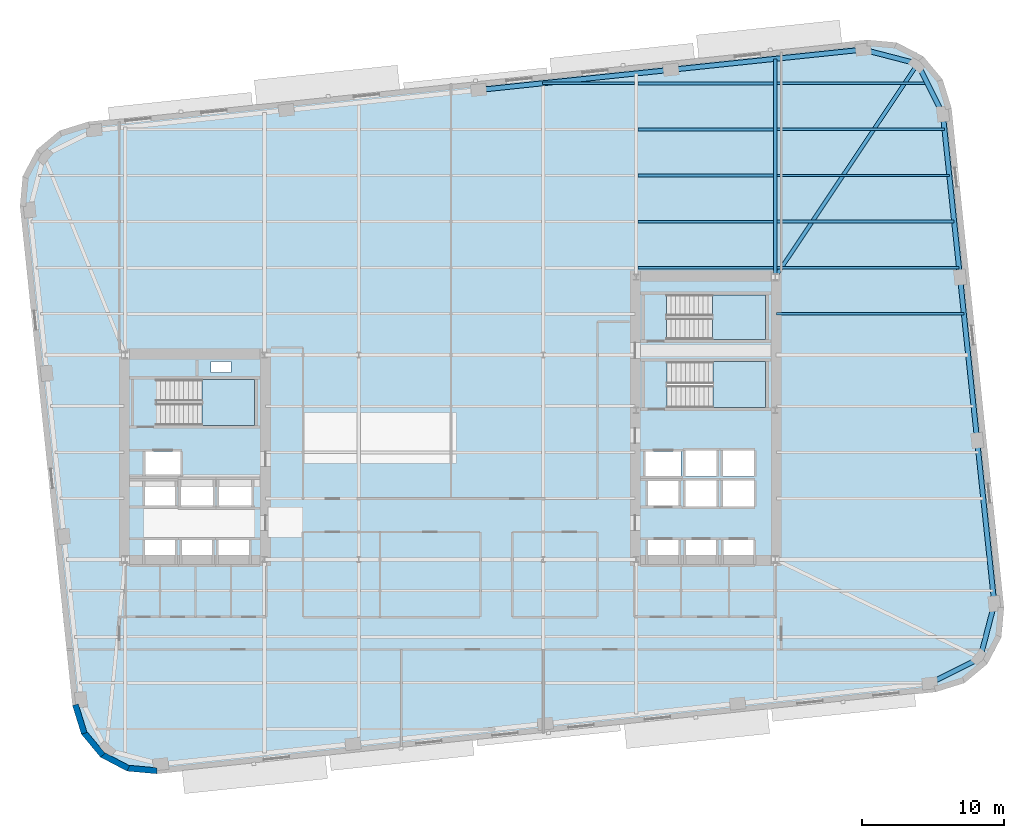
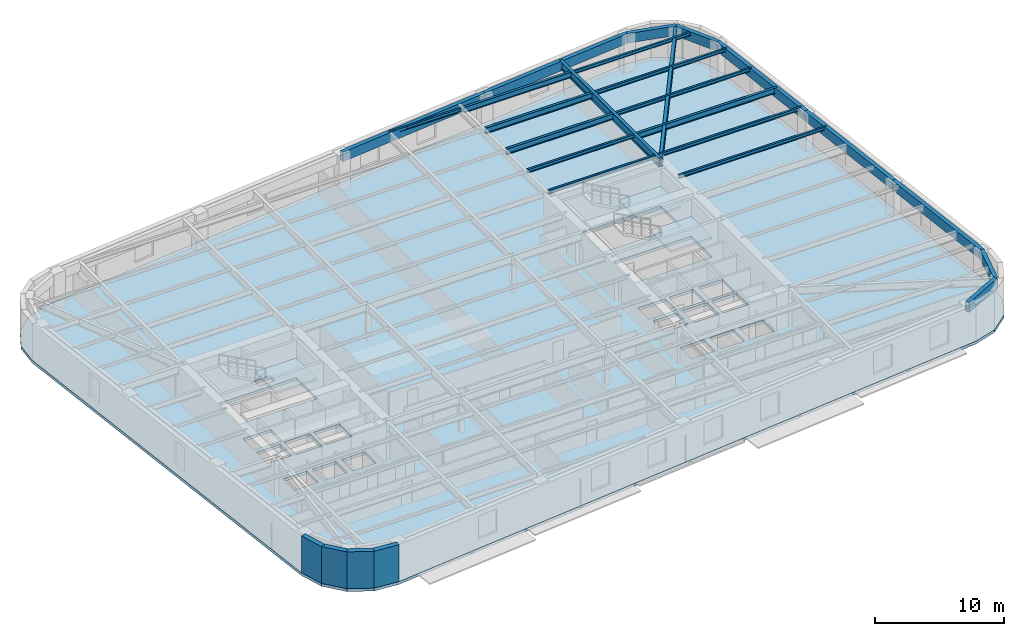
# One storey, part 3 of 12: 23 beams, 4 slabs, 4 walls, 3 elements without a shape of their own.
"""IFC4 building model written with IfcOpenShell, lengths in metres."""

from ifc_helpers import new_model, si_unit, direction, frame, frame_2d, origin, origin_2d, place, context, subcontext, project, spatial, polyline, rectangle, hollow_rectangle, i_section, outline, extrude, material, layer, layer_set, material_profile, profile_set, type_object, element, aggregate, save


model = new_model("IFC4")

# Units and contexts
model_context = context("Model", 3, precision=1e-05, world=origin(), true_north=direction((0.0, 1.0)))
body_context = subcontext(model_context, "Body", "Model", "MODEL_VIEW")
ifc_project = project(units=[si_unit("LENGTHUNIT", "METRE"), si_unit("AREAUNIT", "SQUARE_METRE"), si_unit("VOLUMEUNIT", "CUBIC_METRE"), si_unit("PLANEANGLEUNIT", "RADIAN"), si_unit("MASSUNIT", "GRAM", prefix="KILO")], contexts=[model_context])

# Site, building, storey
site_placement = place(None, origin())
site = spatial("IfcSite", under=ifc_project, at=site_placement, CompositionType="ELEMENT")
building_placement = place(site_placement, origin())
building = spatial("IfcBuilding", under=site, at=building_placement, Name="Kolvaren Arena Tower", CompositionType="ELEMENT")
storey_placement = place(building_placement, frame((0.0, 0.0, 110.949951171875)))
storey = spatial("IfcBuildingStorey", under=building, at=storey_placement, Name="L25", CompositionType="ELEMENT", Elevation=110.949951171875)

# Beams
ifc_material_1 = material(Name="Steel CSA G40.21 350W", Category="steel")
ifc_material_profile_1 = material_profile(ifc_material_1, i_section(OverallWidth=0.2119140625, OverallDepth=0.54296875, WebThickness=0.01318359375, FlangeThickness=0.0244140625, FilletRadius=0.013916015625, at=origin_2d()), Name="W530x150")
ifc_profile_set_1 = profile_set([ifc_material_profile_1], Name="Steel CSA G40.21 350W")
beam_type_1 = type_object("IfcBeamType", Name="BEAM-F1", PredefinedType="BEAM", material=ifc_profile_set_1)
beam_1_placement = place(storey_placement, frame((60.485107421875, 43.25, 3.20849609375), z_axis=(1.0, 0.0, 0.0), x_axis=(0.0, 1.0, 0.0)))
element("IfcBeam", 1, at=beam_1_placement, inside=storey, type_object=beam_type_1, Name="Composite Floor Beam (L25)", PredefinedType="BEAM", context=body_context, shape_type="SweptSolid", body=[
    extrude(i_section(OverallWidth=0.2119140625, OverallDepth=0.54296875, WebThickness=0.01318359375, FlangeThickness=0.0244140625, FilletRadius=0.013916015625, at=origin_2d()), origin(), (0.0, 0.0, 1.0), 12.471435546875),
])
for number, where, z_axis, x_axis, name in (
    (2, (50.68505859375, 46.5, 3.20849609375), (1.0, 0.0, 0.0), (0.0, 1.0, 0.0), "Composite Floor Beam (L25)"),
    (3, (50.68505859375, 49.75, 3.20849609375), (1.0, 0.0, 0.0), (0.0, 1.0, 0.0), "Composite Floor Beam (L25)"),
    (4, (50.68505859375, 53.0, 3.20849609375), (1.0, 0.0, 0.0), (0.0, 1.0, 0.0), "Composite Floor Beam (L25)"),
):
    element("IfcBeam", number, at=place(storey_placement, frame(where, z_axis=z_axis, x_axis=x_axis)), inside=storey, type_object=beam_type_1, Name=name, PredefinedType="BEAM", context=body_context, shape_type="SweptSolid", body=[
        extrude(i_section(OverallWidth=0.2119140625, OverallDepth=0.54296875, WebThickness=0.01318359375, FlangeThickness=0.0244140625, FilletRadius=0.013916015625, at=origin_2d()), origin(), (0.0, 0.0, 1.0), 9.530029296875),
    ])
ifc_material_profile_2 = material_profile(ifc_material_1, i_section(OverallWidth=0.27001953125, OverallDepth=0.77294921875, WebThickness=0.019287109375, FlangeThickness=0.033447265625, FilletRadius=0.01806640625, at=origin_2d()), Name="W760x257")
ifc_profile_set_2 = profile_set([ifc_material_profile_2], Name="Steel CSA G40.21 350W")
beam_type_2 = type_object("IfcBeamType", Name="GIRD-T1", PredefinedType="BEAM", material=ifc_profile_set_2)
beam_2_placement = place(storey_placement, frame((70.387939453125, 54.37939453125, 3.093505859375), z_axis=(-0.555401401293, -0.831582397266, 0.0), x_axis=(0.831582397266, -0.555401401293, 0.0)))
element("IfcBeam", 5, at=beam_2_placement, inside=storey, type_object=beam_type_2, Name="Corner Diagonal Tie Girder (L25)", PredefinedType="BEAM", context=body_context, shape_type="SweptSolid", body=[
    extrude(i_section(OverallWidth=0.27001953125, OverallDepth=0.77294921875, WebThickness=0.019287109375, FlangeThickness=0.033447265625, FilletRadius=0.01806640625, at=origin_2d()), origin(), (0.0, 0.0, 1.0), 18.0732421875),
])
beam_3_placement = place(storey_placement, frame((60.35009765625, 39.405029296875, 3.093505859375), z_axis=(0.0, 1.0, 0.0), x_axis=(-1.0, 0.0, 0.0)))
element("IfcBeam", 6, at=beam_3_placement, inside=storey, type_object=beam_type_2, Name="Primary Floor Girder (L25)", PredefinedType="BEAM", context=body_context, shape_type="SweptSolid", body=[
    extrude(i_section(OverallWidth=0.27001953125, OverallDepth=0.77294921875, WebThickness=0.019287109375, FlangeThickness=0.033447265625, FilletRadius=0.01806640625, at=origin_2d()), origin(), (0.0, 0.0, 1.0), 15.318359375),
])
ifc_material_profile_3 = material_profile(ifc_material_1, i_section(OverallWidth=0.1669921875, OverallDepth=0.31689453125, WebThickness=0.007568359375, FlangeThickness=0.01318359375, FilletRadius=0.010009765625, at=origin_2d()), Name="W310x52")
ifc_profile_set_3 = profile_set([ifc_material_profile_3], Name="Steel CSA G40.21 350W")
beam_type_3 = type_object("IfcBeamType", Name="JOIST-02", PredefinedType="JOIST", material=ifc_profile_set_3)
beam_4_placement = place(storey_placement, frame((60.445068359375, 36.75, 3.321533203125), z_axis=(1.0, 0.0, 0.0), x_axis=(0.0, 1.0, 0.0)))
element("IfcBeam", 7, at=beam_4_placement, inside=storey, type_object=beam_type_3, Name="Composite Floor Joist (L25)", PredefinedType="JOIST", context=body_context, shape_type="SweptSolid", body=[
    extrude(i_section(OverallWidth=0.1669921875, OverallDepth=0.31689453125, WebThickness=0.007568359375, FlangeThickness=0.01318359375, FilletRadius=0.010009765625, at=origin_2d()), origin(), (0.0, 0.0, 1.0), 13.19482421875),
])
beam_5_placement = place(storey_placement, frame((50.68505859375, 40.0, 3.321533203125), z_axis=(1.0, 0.0, 0.0), x_axis=(0.0, 1.0, 0.0)))
element("IfcBeam", 8, at=beam_5_placement, inside=storey, type_object=beam_type_3, Name="Composite Floor Joist (L25)", PredefinedType="JOIST", context=body_context, shape_type="SweptSolid", body=[
    extrude(i_section(OverallWidth=0.1669921875, OverallDepth=0.31689453125, WebThickness=0.007568359375, FlangeThickness=0.01318359375, FilletRadius=0.010009765625, at=origin_2d()), origin(), (0.0, 0.0, 1.0), 9.530029296875),
])
beam_6_placement = place(storey_placement, frame((60.485107421875, 40.0, 3.321533203125), z_axis=(1.0, 0.0, 0.0), x_axis=(0.0, 1.0, 0.0)))
element("IfcBeam", 9, at=beam_6_placement, inside=storey, type_object=beam_type_3, Name="Composite Floor Joist (L25)", PredefinedType="JOIST", context=body_context, shape_type="SweptSolid", body=[
    extrude(i_section(OverallWidth=0.1669921875, OverallDepth=0.31689453125, WebThickness=0.007568359375, FlangeThickness=0.01318359375, FilletRadius=0.010009765625, at=origin_2d()), origin(), (0.0, 0.0, 1.0), 12.81298828125),
])
beam_7_placement = place(storey_placement, frame((50.68505859375, 43.25, 3.321533203125), z_axis=(1.0, 0.0, 0.0), x_axis=(0.0, 1.0, 0.0)))
element("IfcBeam", 10, at=beam_7_placement, inside=storey, type_object=beam_type_3, Name="Composite Floor Joist (L25)", PredefinedType="JOIST", context=body_context, shape_type="SweptSolid", body=[
    extrude(i_section(OverallWidth=0.1669921875, OverallDepth=0.31689453125, WebThickness=0.007568359375, FlangeThickness=0.01318359375, FilletRadius=0.010009765625, at=origin_2d()), origin(), (0.0, 0.0, 1.0), 9.530029296875),
])
beam_8_placement = place(storey_placement, frame((60.485107421875, 46.5, 3.321533203125), z_axis=(1.0, 0.0, 0.0), x_axis=(0.0, 1.0, 0.0)))
element("IfcBeam", 11, at=beam_8_placement, inside=storey, type_object=beam_type_3, Name="Composite Floor Joist (L25)", PredefinedType="JOIST", context=body_context, shape_type="SweptSolid", body=[
    extrude(i_section(OverallWidth=0.1669921875, OverallDepth=0.31689453125, WebThickness=0.007568359375, FlangeThickness=0.01318359375, FilletRadius=0.010009765625, at=origin_2d()), origin(), (0.0, 0.0, 1.0), 12.1298828125),
])
beam_9_placement = place(storey_placement, frame((60.485107421875, 49.75, 3.321533203125), z_axis=(1.0, 0.0, 0.0), x_axis=(0.0, 1.0, 0.0)))
element("IfcBeam", 12, at=beam_9_placement, inside=storey, type_object=beam_type_3, Name="Composite Floor Joist (L25)", PredefinedType="JOIST", context=body_context, shape_type="SweptSolid", body=[
    extrude(i_section(OverallWidth=0.1669921875, OverallDepth=0.31689453125, WebThickness=0.007568359375, FlangeThickness=0.01318359375, FilletRadius=0.010009765625, at=origin_2d()), origin(), (0.0, 0.0, 1.0), 11.788330078125),
])
beam_10_placement = place(storey_placement, frame((43.95361328125, 53.0, 3.321533203125), z_axis=(1.0, 0.0, 0.0), x_axis=(0.0, 1.0, 0.0)))
element("IfcBeam", 13, at=beam_10_placement, inside=storey, type_object=beam_type_3, Name="Composite Floor Joist (L25)", PredefinedType="JOIST", context=body_context, shape_type="SweptSolid", body=[
    extrude(i_section(OverallWidth=0.1669921875, OverallDepth=0.31689453125, WebThickness=0.007568359375, FlangeThickness=0.01318359375, FilletRadius=0.010009765625, at=origin_2d()), origin(), (0.0, 0.0, 1.0), 6.46142578125),
])
beam_11_placement = place(storey_placement, frame((60.485107421875, 53.0, 3.321533203125), z_axis=(1.0, 0.0, 0.0), x_axis=(0.0, 1.0, 0.0)))
element("IfcBeam", 14, at=beam_11_placement, inside=storey, type_object=beam_type_3, Name="Composite Floor Joist (L25)", PredefinedType="JOIST", context=body_context, shape_type="SweptSolid", body=[
    extrude(i_section(OverallWidth=0.1669921875, OverallDepth=0.31689453125, WebThickness=0.007568359375, FlangeThickness=0.01318359375, FilletRadius=0.010009765625, at=origin_2d()), origin(), (0.0, 0.0, 1.0), 10.592529296875),
])
ifc_material_2 = material(Name="Steel CSA G40.21 350WT", Category="steel")
ifc_material_profile_4 = material_profile(ifc_material_2, hollow_rectangle(XDim=0.35009765625, YDim=0.89990234375, WallThickness=0.02001953125, at=origin_2d()), Name="HSS 900x350x20")
ifc_profile_set_4 = profile_set([ifc_material_profile_4], Name="Steel CSA G40.21 350WT")
beam_type_4 = type_object("IfcBeamType", Name="SPAND-01", PredefinedType="SPANDREL", material=ifc_profile_set_4)
for number, where, z_axis, x_axis, name in (
    (15, (71.247314453125, 10.721435546875, 3.030029296875), (0.894451843771, 0.44716428656, 0.0), (-0.44716428656, 0.894451843771, 0.0), "Perimeter Spandrel Beam (L25)"),
    (16, (74.790283203125, 12.49267578125, 3.030029296875), (0.251473350892, 0.967864222808, 0.0), (-0.967864222808, 0.251473350892, 0.0), "Perimeter Spandrel Beam (L25)"),
):
    element("IfcBeam", number, at=place(storey_placement, frame(where, z_axis=z_axis, x_axis=x_axis)), inside=storey, type_object=beam_type_4, Name=name, PredefinedType="SPANDREL", context=body_context, shape_type="SweptSolid", body=[
        extrude(hollow_rectangle(XDim=0.35009765625, YDim=0.89990234375, WallThickness=0.02001953125, at=origin_2d()), origin(), (0.0, 0.0, 1.0), 3.9609375),
    ])
beam_12_placement = place(storey_placement, frame((75.786376953125, 16.326416015625, 3.030029296875), z_axis=(-0.104522171998, 0.994522556587, 0.0), x_axis=(-0.994522556587, -0.104522171998, 0.0)))
element("IfcBeam", 17, at=beam_12_placement, inside=storey, type_object=beam_type_4, Name="Perimeter Spandrel Beam (L25)", PredefinedType="SPANDREL", context=body_context, shape_type="SweptSolid", body=[
    extrude(hollow_rectangle(XDim=0.35009765625, YDim=0.89990234375, WallThickness=0.02001953125, at=origin_2d()), origin(), (0.0, 0.0, 1.0), 11.56689453125),
])
beam_13_placement = place(storey_placement, frame((74.577392578125, 27.829833984375, 3.030029296875), z_axis=(-0.104524366116, 0.994522325988, 0.0), x_axis=(-0.994522325988, -0.104524366116, 0.0)))
element("IfcBeam", 18, at=beam_13_placement, inside=storey, type_object=beam_type_4, Name="Perimeter Spandrel Beam (L25)", PredefinedType="SPANDREL", context=body_context, shape_type="SweptSolid", body=[
    extrude(hollow_rectangle(XDim=0.35009765625, YDim=0.89990234375, WallThickness=0.02001953125, at=origin_2d()), origin(), (0.0, 0.0, 1.0), 11.566650390625),
])
beam_14_placement = place(storey_placement, frame((73.368408203125, 39.3330078125, 3.030029296875), z_axis=(-0.104543048399, 0.994520362301, 0.0), x_axis=(-0.994520362301, -0.104543048399, 0.0)))
element("IfcBeam", 19, at=beam_14_placement, inside=storey, type_object=beam_type_4, Name="Perimeter Spandrel Beam (L25)", PredefinedType="SPANDREL", context=body_context, shape_type="SweptSolid", body=[
    extrude(hollow_rectangle(XDim=0.35009765625, YDim=0.89990234375, WallThickness=0.02001953125, at=origin_2d()), origin(), (0.0, 0.0, 1.0), 11.56689453125),
])
for number, where, z_axis, x_axis, name in (
    (20, (72.1591796875, 50.83642578125, 3.030029296875), (-0.44716428656, 0.894451843771, 0.0), (-0.894451843771, -0.44716428656, 0.0), "Perimeter Spandrel Beam (L25)"),
    (21, (70.387939453125, 54.37939453125, 3.030029296875), (-0.967864222808, 0.251473350892, 0.0), (-0.251473350892, -0.967864222808, 0.0), "Perimeter Spandrel Beam (L25)"),
):
    element("IfcBeam", number, at=place(storey_placement, frame(where, z_axis=z_axis, x_axis=x_axis)), inside=storey, type_object=beam_type_4, Name=name, PredefinedType="SPANDREL", context=body_context, shape_type="SweptSolid", body=[
        extrude(hollow_rectangle(XDim=0.35009765625, YDim=0.89990234375, WallThickness=0.02001953125, at=origin_2d()), origin(), (0.0, 0.0, 1.0), 3.9609375),
    ])
beam_15_placement = place(storey_placement, frame((66.55419921875, 55.37548828125, 3.030029296875), z_axis=(-0.994521150946, -0.104535545729, 0.0), x_axis=(0.104535545729, -0.994521150946, 0.0)))
element("IfcBeam", 22, at=beam_15_placement, inside=storey, type_object=beam_type_4, Name="Perimeter Spandrel Beam (L25)", PredefinedType="SPANDREL", context=body_context, shape_type="SweptSolid", body=[
    extrude(hollow_rectangle(XDim=0.35009765625, YDim=0.89990234375, WallThickness=0.02001953125, at=origin_2d()), origin(), (0.0, 0.0, 1.0), 13.625244140625),
])
beam_16_placement = place(storey_placement, frame((53.003662109375, 53.951171875, 3.030029296875), z_axis=(-0.994522817887, -0.104519685718, 0.0), x_axis=(0.104519685718, -0.994522817887, 0.0)))
element("IfcBeam", 23, at=beam_16_placement, inside=storey, type_object=beam_type_4, Name="Perimeter Spandrel Beam (L25)", PredefinedType="SPANDREL", context=body_context, shape_type="SweptSolid", body=[
    extrude(hollow_rectangle(XDim=0.35009765625, YDim=0.89990234375, WallThickness=0.02001953125, at=origin_2d()), origin(), (0.0, 0.0, 1.0), 13.625),
])

# Stair, slab
ifc_material_3 = material(Name="Concrete 45 MPa", Category="concrete")
stair_type_1 = type_object("IfcStairType", Name="STAIR-CORE-165", PredefinedType="HALF_TURN_STAIR", material=ifc_material_3)
stair_1_placement = place(storey_placement, origin())
stair_1 = element("IfcStair", 24, at=stair_1_placement, inside=storey, type_object=stair_type_1, Name="L25 ST-W1", PredefinedType="HALF_TURN_STAIR")
ifc_layer_1 = layer(ifc_material_3, 0.199951171875)
ifc_layer_set_1 = layer_set([ifc_layer_1], Name="Concrete 45 MPa")
slab_type_1 = type_object("IfcSlabType", Name="SLAB-LAND", PredefinedType="LANDING", material=ifc_layer_set_1)
slab_1_placement = place(storey_placement, frame((0.0, 0.0, 1.675048828125)))
slab_1 = element("IfcSlab", 25, at=slab_1_placement, type_object=slab_type_1, Name="ST-W1 landing 1", PredefinedType="LANDING", context=body_context, shape_type="SweptSolid", body=[
    extrude(outline(polyline([(19.9599609375, 28.89990234375), (23.659912109375, 28.89990234375), (23.659912109375, 32.1298828125), (19.9599609375, 32.1298828125), (19.9599609375, 28.89990234375)])), origin(), (0.0, 0.0, 1.0), 0.199951171875),
])
aggregate(stair_1, [slab_1])

stair_2_placement = place(storey_placement, origin())
stair_2 = element("IfcStair", 26, at=stair_2_placement, inside=storey, type_object=stair_type_1, Name="L25 ST-E1", PredefinedType="HALF_TURN_STAIR")
slab_2_placement = place(storey_placement, frame((0.0, 0.0, 1.675048828125)))
slab_2 = element("IfcSlab", 27, at=slab_2_placement, type_object=slab_type_1, Name="ST-E1 landing 1", PredefinedType="LANDING", context=body_context, shape_type="SweptSolid", body=[
    extrude(outline(polyline([(55.9599609375, 30.14990234375), (59.659912109375, 30.14990234375), (59.659912109375, 33.3798828125), (55.9599609375, 33.3798828125), (55.9599609375, 30.14990234375)])), origin(), (0.0, 0.0, 1.0), 0.199951171875),
])
aggregate(stair_2, [slab_2])

stair_type_2 = type_object("IfcStairType", Name="STAIR-CORE-150", PredefinedType="HALF_TURN_STAIR", material=ifc_material_3)
stair_3_placement = place(storey_placement, origin())
stair_3 = element("IfcStair", 28, at=stair_3_placement, inside=storey, type_object=stair_type_2, Name="L25 ST-E2", PredefinedType="HALF_TURN_STAIR")
slab_3_placement = place(storey_placement, frame((0.0, 0.0, 1.675048828125)))
slab_3 = element("IfcSlab", 29, at=slab_3_placement, type_object=slab_type_1, Name="ST-E2 landing 1", PredefinedType="LANDING", context=body_context, shape_type="SweptSolid", body=[
    extrude(outline(polyline([(55.919921875, 34.949951171875), (59.659912109375, 34.949951171875), (59.659912109375, 38.10009765625), (55.919921875, 38.10009765625), (55.919921875, 34.949951171875)])), origin(), (0.0, 0.0, 1.0), 0.199951171875),
])
aggregate(stair_3, [slab_3])

# Slab
ifc_layer_2 = layer(ifc_material_3, 0.27001953125)
ifc_layer_set_2 = layer_set([ifc_layer_2], Name="Concrete 45 MPa")
slab_type_2 = type_object("IfcSlabType", Name="SLAB-OFF2", PredefinedType="FLOOR", material=ifc_layer_set_2)
slab_4_placement = place(storey_placement, frame((0.0, 0.0, -0.27001953125)))
element("IfcSlab", 30, at=slab_4_placement, inside=storey, type_object=slab_type_2, Name="L25 Primary Structural Slab", PredefinedType="FLOOR", context=body_context, shape_type="SweptSolid", body=[
    extrude(outline(polyline([(71.663330078125, 10.111572265625), (73.675537109375, 10.736328125), (75.29541015625, 12.08349609375), (76.276611328125, 13.9482421875), (76.469482421875, 16.04638671875), (72.76904296875, 51.25244140625), (72.144287109375, 53.2646484375), (70.797119140625, 54.884521484375), (68.932373046875, 55.865478515625), (66.834228515625, 56.058349609375), (11.9365234375, 50.28857421875), (9.92431640625, 49.663818359375), (8.304443359375, 48.31640625), (7.323486328125, 46.45166015625), (7.130615234375, 44.353515625), (10.830810546875, 9.1474609375), (11.455810546875, 7.13525390625), (12.802978515625, 5.515380859375), (14.667724609375, 4.534423828125), (16.765869140625, 4.341552734375), (71.663330078125, 10.111572265625)]), holes=[polyline([(15.93505859375, 19.0849609375), (15.93505859375, 20.81494140625), (18.06494140625, 20.81494140625), (18.06494140625, 19.0849609375), (15.93505859375, 19.0849609375)]), polyline([(18.534912109375, 19.0849609375), (18.534912109375, 20.81494140625), (20.6650390625, 20.81494140625), (20.6650390625, 19.0849609375), (18.534912109375, 19.0849609375)]), polyline([(21.135009765625, 19.0849609375), (21.135009765625, 20.81494140625), (23.264892578125, 20.81494140625), (23.264892578125, 19.0849609375), (21.135009765625, 19.0849609375)]), polyline([(51.39501953125, 19.0849609375), (51.39501953125, 20.81494140625), (53.52490234375, 20.81494140625), (53.52490234375, 19.0849609375), (51.39501953125, 19.0849609375)]), polyline([(54.054931640625, 19.0849609375), (54.054931640625, 20.81494140625), (56.18505859375, 20.81494140625), (56.18505859375, 19.0849609375), (54.054931640625, 19.0849609375)]), polyline([(56.695068359375, 19.0849609375), (56.695068359375, 20.81494140625), (58.824951171875, 20.81494140625), (58.824951171875, 19.0849609375), (56.695068359375, 19.0849609375)]), polyline([(18.4599609375, 25.06494140625), (20.739990234375, 25.06494140625), (20.739990234375, 23.135009765625), (18.4599609375, 23.135009765625), (18.4599609375, 25.06494140625)]), polyline([(21.159912109375, 23.135009765625), (21.159912109375, 25.06494140625), (23.43994140625, 25.06494140625), (23.43994140625, 23.135009765625), (21.159912109375, 23.135009765625)]), polyline([(54.030029296875, 25.014892578125), (56.2099609375, 25.014892578125), (56.2099609375, 23.18505859375), (54.030029296875, 23.18505859375), (54.030029296875, 25.014892578125)]), polyline([(56.669921875, 25.014892578125), (58.85009765625, 25.014892578125), (58.85009765625, 23.18505859375), (56.669921875, 23.18505859375), (56.669921875, 25.014892578125)]), polyline([(15.93505859375, 24.965087890625), (18.06494140625, 24.965087890625), (18.06494140625, 23.235107421875), (15.93505859375, 23.235107421875), (15.93505859375, 24.965087890625)]), polyline([(51.39501953125, 23.235107421875), (51.39501953125, 24.965087890625), (53.52490234375, 24.965087890625), (53.52490234375, 23.235107421875), (51.39501953125, 23.235107421875)]), polyline([(54.030029296875, 25.284912109375), (54.030029296875, 27.114990234375), (56.2099609375, 27.114990234375), (56.2099609375, 25.284912109375), (54.030029296875, 25.284912109375)]), polyline([(56.669921875, 25.284912109375), (56.669921875, 27.114990234375), (58.85009765625, 27.114990234375), (58.85009765625, 25.284912109375), (56.669921875, 25.284912109375)]), polyline([(15.9599609375, 25.3349609375), (15.9599609375, 27.06494140625), (18.43994140625, 27.06494140625), (18.43994140625, 25.3349609375), (15.9599609375, 25.3349609375)]), polyline([(51.219970703125, 25.3349609375), (51.219970703125, 27.06494140625), (53.699951171875, 27.06494140625), (53.699951171875, 25.3349609375), (51.219970703125, 25.3349609375)]), polyline([(16.735107421875, 32.1298828125), (23.659912109375, 32.1298828125), (23.659912109375, 28.89990234375), (16.735107421875, 28.89990234375), (16.735107421875, 32.1298828125)]), polyline([(52.735107421875, 33.3798828125), (59.659912109375, 33.3798828125), (59.659912109375, 30.14990234375), (52.735107421875, 30.14990234375), (52.735107421875, 33.3798828125)]), polyline([(20.60009765625, 33.39990234375), (22.0, 33.39990234375), (22.0, 32.6201171875), (20.60009765625, 32.6201171875), (20.60009765625, 33.39990234375)]), polyline([(52.695068359375, 38.10009765625), (59.659912109375, 38.10009765625), (59.659912109375, 34.949951171875), (52.695068359375, 34.949951171875), (52.695068359375, 38.10009765625)])]), origin(), (0.0, 0.0, 1.0), 0.27001953125),
])

# Walls
ifc_material_4 = material(Name="Precast concrete C50/60", Category="concrete")
ifc_layer_3 = layer(ifc_material_4, 0.419921875)
ifc_layer_set_3 = layer_set([ifc_layer_3], Name="Precast concrete C50/60")
wall_type = type_object("IfcWallType", Name="EXT-PIER1", PredefinedType="SOLIDWALL", material=ifc_layer_set_3)
for number, where, z_axis, x_axis, name in (
    (31, (11.65625, 7.197509765625, 0.0), (0.0, 0.0, 1.0), (-0.296519484366, 0.955026803494, 0.0), "Exterior Precast Masonry-Frame Wall (L25)"),
    (32, (12.964599609375, 5.649658203125, 0.0), (0.0, 0.0, 1.0), (-0.639488914921, 0.768800317178, 0.0), "Exterior Precast Masonry-Frame Wall (L25)"),
    (33, (14.765380859375, 4.72021484375, 0.0), (0.0, 0.0, 1.0), (-0.884940843444, 0.465703450282, 0.0), "Exterior Precast Masonry-Frame Wall (L25)"),
):
    element("IfcWall", number, at=place(storey_placement, frame(where, z_axis=z_axis, x_axis=x_axis)), inside=storey, type_object=wall_type, Name=name, PredefinedType="SOLIDWALL", context=body_context, shape_type="SweptSolid", body=[
        extrude(rectangle(XDim=2.10693359375, YDim=0.419921875, at=frame_2d((1.053466796875, 0.0))), origin(), (0.0, 0.0, 1.0), 3.47998046875),
    ])
wall_placement = place(storey_placement, frame((16.784912109375, 4.55078125, 0.0), z_axis=(0.0, 0.0, 1.0), x_axis=(-0.995811110714, 0.091434303078, 0.0)))
element("IfcWall", 34, at=wall_placement, inside=storey, type_object=wall_type, Name="Exterior Precast Masonry-Frame Wall (L25)", PredefinedType="SOLIDWALL", context=body_context, shape_type="SweptSolid", body=[
    extrude(rectangle(XDim=2.106689453125, YDim=0.419921875, at=frame_2d((1.05322265625, 0.0))), origin(), (0.0, 0.0, 1.0), 3.47998046875),
])

save(model, "model.ifc")
